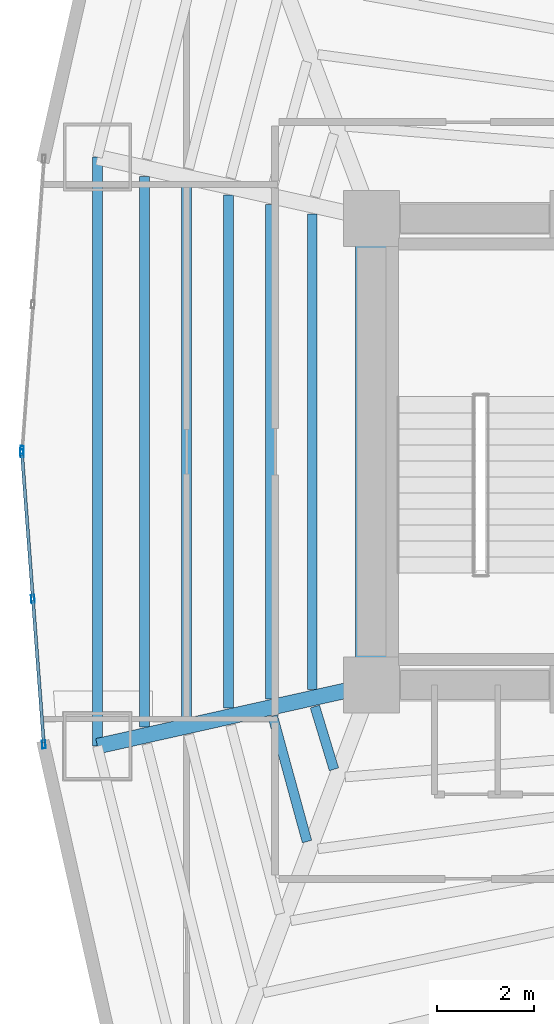
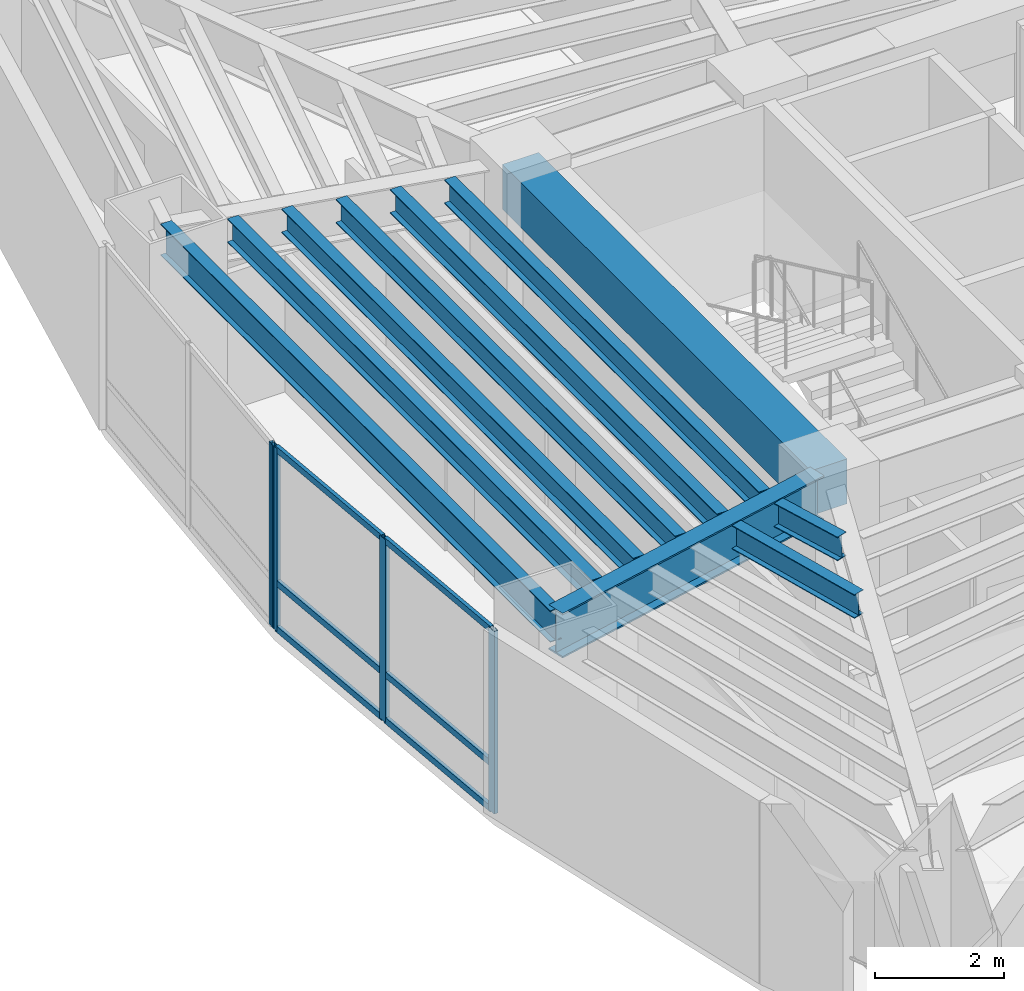
# One storey, part 3 of 17: 10 beams, 10 members, 2 elements without a shape of their own.
"""IFC4 building model written with IfcOpenShell, lengths in metres."""

from ifc_helpers import new_model, si_unit, direction, frame, origin, origin_2d, place, context, subcontext, project, spatial, rectangle, hollow_rectangle, i_section, extrude, material, layer, layer_set, material_profile, profile_set, type_object, element, aggregate, save


model = new_model("IFC4")

# Units and contexts
model_context = context("Model", 3, precision=1e-05, world=origin(), true_north=direction((0.0, 1.0)))
body_context = subcontext(model_context, "Body", "Model", "MODEL_VIEW")
ifc_project = project(units=[si_unit("LENGTHUNIT", "METRE"), si_unit("AREAUNIT", "SQUARE_METRE"), si_unit("VOLUMEUNIT", "CUBIC_METRE"), si_unit("PLANEANGLEUNIT", "RADIAN"), si_unit("MASSUNIT", "GRAM", prefix="KILO")], contexts=[model_context])

# Site, building, storey
site_placement = place(None, origin())
site = spatial("IfcSite", under=ifc_project, at=site_placement, CompositionType="ELEMENT")
building_placement = place(site_placement, origin())
building = spatial("IfcBuilding", under=site, at=building_placement, Name="Menara Vayukalpa", CompositionType="ELEMENT")
storey_placement = place(building_placement, frame((0.0, 0.0, 38.760009765625)))
storey = spatial("IfcBuildingStorey", under=building, at=storey_placement, Name="L08", CompositionType="ELEMENT", Elevation=38.760009765625)

# Beams
ifc_material_1 = material(Name="Concrete C60/75", Category="concrete")
ifc_material_profile_1 = material_profile(ifc_material_1, rectangle(XDim=0.64990234375, YDim=0.85009765625, at=origin_2d()), Name="RC 650x850")
ifc_profile_set_1 = profile_set([ifc_material_profile_1], Name="Concrete C60/75")
beam_type_1 = type_object("IfcBeamType", Name="BM-CB1", PredefinedType="BEAM", material=ifc_profile_set_1)
beam_1_placement = place(storey_placement, frame((17.800048828125, 17.199951171875, 3.044921875), z_axis=(0.0, 1.0, 0.0), x_axis=(-1.0, 0.0, 0.0)))
element("IfcBeam", 1, at=beam_1_placement, inside=storey, type_object=beam_type_1, Name="L08 Core Tie Beam CBR7", PredefinedType="BEAM", context=body_context, shape_type="SweptSolid", body=[
    extrude(rectangle(XDim=0.64990234375, YDim=0.85009765625, at=origin_2d()), origin(), (0.0, 0.0, 1.0), 9.60009765625),
])
ifc_material_2 = material(Name="Steel S355", Category="steel")
ifc_material_profile_2 = material_profile(ifc_material_2, i_section(OverallWidth=0.320068359375, OverallDepth=0.85009765625, WebThickness=0.01611328125, FlangeThickness=0.030029296875, at=origin_2d()), Name="WF 850x320x16x30")
ifc_profile_set_2 = profile_set([ifc_material_profile_2], Name="Steel S355")
beam_type_2 = type_object("IfcBeamType", Name="BM-PG2", PredefinedType="BEAM", material=ifc_profile_set_2)
beam_2_placement = place(storey_placement, frame((17.555908203125, 17.1455078125, 3.044921875), z_axis=(-0.975920137818, -0.218128138031, 0.0), x_axis=(0.218128138031, -0.975920137818, 0.0)))
element("IfcBeam", 2, at=beam_2_placement, inside=storey, type_object=beam_type_2, Name="L08 Primary Radial Girder RG06", PredefinedType="BEAM", context=body_context, shape_type="SweptSolid", body=[
    extrude(i_section(OverallWidth=0.320068359375, OverallDepth=0.85009765625, WebThickness=0.01611328125, FlangeThickness=0.030029296875, at=origin_2d()), origin(), (0.0, 0.0, 1.0), 5.524658203125),
])
ifc_material_3 = material(Name="Steel S355", Category="steel")
ifc_material_profile_3 = material_profile(ifc_material_3, i_section(OverallWidth=0.199951171875, OverallDepth=0.449951171875, WebThickness=0.009033203125, FlangeThickness=0.013916015625, at=origin_2d()), Name="WF 450x200x9x14")
ifc_profile_set_3 = profile_set([ifc_material_profile_3], Name="Steel S355")
beam_type_3 = type_object("IfcBeamType", Name="BM-SJ1", PredefinedType="JOIST", material=ifc_profile_set_3)
beam_3_placement = place(storey_placement, frame((16.58544921875, 26.891357421875, 3.244873046875), z_axis=(0.0, -1.0, 0.0), x_axis=(1.0, 0.0, 0.0)))
element("IfcBeam", 3, at=beam_3_placement, inside=storey, type_object=beam_type_3, Name="L08 Secondary Floor Joist SJ05-1", PredefinedType="JOIST", context=body_context, shape_type="SweptSolid", body=[
    extrude(i_section(OverallWidth=0.199951171875, OverallDepth=0.449951171875, WebThickness=0.009033203125, FlangeThickness=0.013916015625, at=origin_2d()), origin(), (0.0, 0.0, 1.0), 9.78271484375),
])
beam_4_placement = place(storey_placement, frame((15.722900390625, 27.084228515625, 3.244873046875), z_axis=(0.0, -1.0, 0.0), x_axis=(1.0, 0.0, 0.0)))
element("IfcBeam", 4, at=beam_4_placement, inside=storey, type_object=beam_type_3, Name="L08 Secondary Floor Joist SJ05-2", PredefinedType="JOIST", context=body_context, shape_type="SweptSolid", body=[
    extrude(i_section(OverallWidth=0.199951171875, OverallDepth=0.449951171875, WebThickness=0.009033203125, FlangeThickness=0.013916015625, at=origin_2d()), origin(), (0.0, 0.0, 1.0), 10.16845703125),
])
beam_5_placement = place(storey_placement, frame((14.860107421875, 27.277099609375, 3.244873046875), z_axis=(0.0, -1.0, 0.0), x_axis=(1.0, 0.0, 0.0)))
element("IfcBeam", 5, at=beam_5_placement, inside=storey, type_object=beam_type_3, Name="L08 Secondary Floor Joist SJ05-3", PredefinedType="JOIST", context=body_context, shape_type="SweptSolid", body=[
    extrude(i_section(OverallWidth=0.199951171875, OverallDepth=0.449951171875, WebThickness=0.009033203125, FlangeThickness=0.013916015625, at=origin_2d()), origin(), (0.0, 0.0, 1.0), 10.55419921875),
])
beam_6_placement = place(storey_placement, frame((13.997314453125, 27.469970703125, 3.244873046875), z_axis=(0.0, -1.0, 0.0), x_axis=(1.0, 0.0, 0.0)))
element("IfcBeam", 6, at=beam_6_placement, inside=storey, type_object=beam_type_3, Name="L08 Secondary Floor Joist SJ05-4", PredefinedType="JOIST", context=body_context, shape_type="SweptSolid", body=[
    extrude(i_section(OverallWidth=0.199951171875, OverallDepth=0.449951171875, WebThickness=0.009033203125, FlangeThickness=0.013916015625, at=origin_2d()), origin(), (0.0, 0.0, 1.0), 10.93994140625),
])
beam_7_placement = place(storey_placement, frame((13.134765625, 27.66259765625, 3.244873046875), z_axis=(0.0, -1.0, 0.0), x_axis=(1.0, 0.0, 0.0)))
element("IfcBeam", 7, at=beam_7_placement, inside=storey, type_object=beam_type_3, Name="L08 Secondary Floor Joist SJ05-5", PredefinedType="JOIST", context=body_context, shape_type="SweptSolid", body=[
    extrude(i_section(OverallWidth=0.199951171875, OverallDepth=0.449951171875, WebThickness=0.009033203125, FlangeThickness=0.013916015625, at=origin_2d()), origin(), (0.0, 0.0, 1.0), 11.3251953125),
])
beam_8_placement = place(storey_placement, frame((16.6376953125, 16.75634765625, 3.244873046875), z_axis=(0.291010568606, -0.956719838281, 0.0), x_axis=(0.956719838281, 0.291010568606, 0.0)))
element("IfcBeam", 8, at=beam_8_placement, inside=storey, type_object=beam_type_3, Name="L08 Secondary Floor Joist SJ06-1", PredefinedType="JOIST", context=body_context, shape_type="SweptSolid", body=[
    extrude(i_section(OverallWidth=0.199951171875, OverallDepth=0.449951171875, WebThickness=0.009033203125, FlangeThickness=0.013916015625, at=origin_2d()), origin(), (0.0, 0.0, 1.0), 1.3505859375),
])
beam_9_placement = place(storey_placement, frame((15.770263671875, 16.56201171875, 3.244873046875), z_axis=(0.263618546233, -0.964627006714, 0.0), x_axis=(0.964627006714, 0.263618546233, 0.0)))
element("IfcBeam", 9, at=beam_9_placement, inside=storey, type_object=beam_type_3, Name="L08 Secondary Floor Joist SJ06-2", PredefinedType="JOIST", context=body_context, shape_type="SweptSolid", body=[
    extrude(i_section(OverallWidth=0.199951171875, OverallDepth=0.449951171875, WebThickness=0.009033203125, FlangeThickness=0.013916015625, at=origin_2d()), origin(), (0.0, 0.0, 1.0), 2.67919921875),
])
ifc_material_4 = material(Name="Steel S355", Category="steel")
ifc_material_profile_4 = material_profile(ifc_material_4, i_section(OverallWidth=0.199951171875, OverallDepth=0.60009765625, WebThickness=0.010986328125, FlangeThickness=0.01708984375, at=origin_2d()), Name="WF 600x200x11x17")
ifc_profile_set_4 = profile_set([ifc_material_profile_4], Name="Steel S355")
beam_type_4 = type_object("IfcBeamType", Name="BM-SP1", PredefinedType="SPANDREL", material=ifc_profile_set_4)
beam_10_placement = place(storey_placement, frame((12.164306640625, 28.0595703125, 3.169921875), z_axis=(0.0, -1.0, 0.0), x_axis=(1.0, 0.0, 0.0)))
element("IfcBeam", 10, at=beam_10_placement, inside=storey, type_object=beam_type_4, Name="L08 Perimeter Spandrel Beam SP05", PredefinedType="SPANDREL", context=body_context, shape_type="SweptSolid", body=[
    extrude(i_section(OverallWidth=0.199951171875, OverallDepth=0.60009765625, WebThickness=0.010986328125, FlangeThickness=0.01708984375, at=origin_2d()), origin(), (0.0, 0.0, 1.0), 12.119140625),
])

# Curtain wall, member
ifc_material_5 = material(Name="Anodised Terracotta Aluminium Alloy 6063-T6", Category="masonry")
ifc_layer = layer(ifc_material_5, 0.1650390625)
ifc_layer_set = layer_set([ifc_layer], Name="Anodised Terracotta Aluminium Alloy 6063-T6")
curtain_wall_type = type_object("IfcCurtainWallType", Name="CW-CW2", PredefinedType="USERDEFINED", material=ifc_layer_set)
curtain_wall_1_placement = place(storey_placement, origin())
curtain_wall_1 = element("IfcCurtainWall", 11, at=curtain_wall_1_placement, inside=storey, type_object=curtain_wall_type, Name="L08 Low Rise Terracotta Ribbon Curtain Wall CW2 10", ObjectType="UNITISED", PredefinedType="USERDEFINED")
ifc_material_6 = material(Name="Anodised Terracotta Aluminium Alloy 6063-T6", Category="masonry")
ifc_material_profile_5 = material_profile(ifc_material_6, hollow_rectangle(XDim=0.070068359375, YDim=0.1650390625, WallThickness=0.00390625, at=origin_2d()), Name="ALU 70x165x4")
ifc_profile_set_5 = profile_set([ifc_material_profile_5], Name="Anodised Terracotta Aluminium Alloy 6063-T6")
member_type_1 = type_object("IfcMemberType", Name="CWM-CW2", PredefinedType="MULLION", material=ifc_profile_set_5)
member_1_placement = place(storey_placement, frame((10.6123046875, 22.034912109375, 0.0), z_axis=(0.0, 0.0, 1.0), x_axis=(0.997198941676, -0.074794857576, 0.0)))
member_1 = element("IfcMember", 12, at=member_1_placement, type_object=member_type_1, Name="CW2 mullion 3", PredefinedType="MULLION", context=body_context, shape_type="SweptSolid", body=[
    extrude(hollow_rectangle(XDim=0.070068359375, YDim=0.1650390625, WallThickness=0.00390625, at=origin_2d()), origin(), (0.0, 0.0, 1.0), 3.469970703125),
])
aggregate(curtain_wall_1, [member_1])

# Curtain wall, members
curtain_wall_2_placement = place(storey_placement, origin())
curtain_wall_2 = element("IfcCurtainWall", 13, at=curtain_wall_2_placement, inside=storey, type_object=curtain_wall_type, Name="L08 Low Rise Terracotta Ribbon Curtain Wall CW2 11", ObjectType="UNITISED", PredefinedType="USERDEFINED")
member_2_placement = place(storey_placement, frame((10.6123046875, 21.965087890625, 0.0), z_axis=(0.0, 0.0, 1.0), x_axis=(0.997198941676, 0.074794857576, 0.0)))
member_2 = element("IfcMember", 14, at=member_2_placement, type_object=member_type_1, Name="CW2 mullion 1", PredefinedType="MULLION", context=body_context, shape_type="SweptSolid", body=[
    extrude(hollow_rectangle(XDim=0.070068359375, YDim=0.1650390625, WallThickness=0.00390625, at=origin_2d()), origin(), (0.0, 0.0, 1.0), 3.469970703125),
])
member_3_placement = place(storey_placement, frame((10.8369140625, 18.97021484375, 0.0), z_axis=(0.0, 0.0, 1.0), x_axis=(0.997198941676, 0.074794857576, 0.0)))
member_3 = element("IfcMember", 15, at=member_3_placement, type_object=member_type_1, Name="CW2 mullion 2", PredefinedType="MULLION", context=body_context, shape_type="SweptSolid", body=[
    extrude(hollow_rectangle(XDim=0.070068359375, YDim=0.1650390625, WallThickness=0.00390625, at=origin_2d()), origin(), (0.0, 0.0, 1.0), 3.469970703125),
])
member_4_placement = place(storey_placement, frame((11.0615234375, 15.975341796875, 0.0), z_axis=(0.0, 0.0, 1.0), x_axis=(0.997198941676, 0.074794857576, 0.0)))
member_4 = element("IfcMember", 16, at=member_4_placement, type_object=member_type_1, Name="CW2 mullion 3", PredefinedType="MULLION", context=body_context, shape_type="SweptSolid", body=[
    extrude(hollow_rectangle(XDim=0.070068359375, YDim=0.1650390625, WallThickness=0.00390625, at=origin_2d()), origin(), (0.0, 0.0, 1.0), 3.469970703125),
])
ifc_material_7 = material(Name="Anodised Terracotta Aluminium Alloy 6063-T6", Category="masonry")
ifc_material_profile_6 = material_profile(ifc_material_7, hollow_rectangle(XDim=0.06494140625, YDim=0.1201171875, WallThickness=0.00341796875, at=origin_2d()), Name="ALU 65x120x3.5")
ifc_profile_set_6 = profile_set([ifc_material_profile_6], Name="Anodised Terracotta Aluminium Alloy 6063-T6")
member_type_2 = type_object("IfcMemberType", Name="CWT-CW2", PredefinedType="USERDEFINED", material=ifc_profile_set_6)
member_5_placement = place(storey_placement, frame((10.614990234375, 21.93017578125, 0.032470703125), z_axis=(0.074742357441, -0.997202878057, 0.0), x_axis=(0.997202878057, 0.074742357441, 0.0)))
member_5 = element("IfcMember", 17, at=member_5_placement, type_object=member_type_2, Name="CW2 transom 1.1", ObjectType="TRANSOM", PredefinedType="USERDEFINED", context=body_context, shape_type="SweptSolid", body=[
    extrude(hollow_rectangle(XDim=0.06494140625, YDim=0.1201171875, WallThickness=0.00341796875, at=origin_2d()), origin(), (0.0, 0.0, 1.0), 2.933349609375),
])
member_6_placement = place(storey_placement, frame((10.614990234375, 21.93017578125, 0.89990234375), z_axis=(0.074742357441, -0.997202878057, 0.0), x_axis=(0.997202878057, 0.074742357441, 0.0)))
member_6 = element("IfcMember", 18, at=member_6_placement, type_object=member_type_2, Name="CW2 transom 1.2", ObjectType="TRANSOM", PredefinedType="USERDEFINED", context=body_context, shape_type="SweptSolid", body=[
    extrude(hollow_rectangle(XDim=0.06494140625, YDim=0.1201171875, WallThickness=0.00341796875, at=origin_2d()), origin(), (0.0, 0.0, 1.0), 2.933349609375),
])
member_7_placement = place(storey_placement, frame((10.614990234375, 21.93017578125, 3.4375), z_axis=(0.074742357441, -0.997202878057, 0.0), x_axis=(0.997202878057, 0.074742357441, 0.0)))
member_7 = element("IfcMember", 19, at=member_7_placement, type_object=member_type_2, Name="CW2 transom 1.3", ObjectType="TRANSOM", PredefinedType="USERDEFINED", context=body_context, shape_type="SweptSolid", body=[
    extrude(hollow_rectangle(XDim=0.06494140625, YDim=0.1201171875, WallThickness=0.00341796875, at=origin_2d()), origin(), (0.0, 0.0, 1.0), 2.933349609375),
])
member_8_placement = place(storey_placement, frame((10.839599609375, 18.935302734375, 0.032470703125), z_axis=(0.074825123723, -0.997196671103, 0.0), x_axis=(0.997196671103, 0.074825123723, 0.0)))
member_8 = element("IfcMember", 20, at=member_8_placement, type_object=member_type_2, Name="CW2 transom 2.1", ObjectType="TRANSOM", PredefinedType="USERDEFINED", context=body_context, shape_type="SweptSolid", body=[
    extrude(hollow_rectangle(XDim=0.06494140625, YDim=0.1201171875, WallThickness=0.00341796875, at=origin_2d()), origin(), (0.0, 0.0, 1.0), 2.933349609375),
])
member_9_placement = place(storey_placement, frame((10.839599609375, 18.935302734375, 0.89990234375), z_axis=(0.074825123723, -0.997196671103, 0.0), x_axis=(0.997196671103, 0.074825123723, 0.0)))
member_9 = element("IfcMember", 21, at=member_9_placement, type_object=member_type_2, Name="CW2 transom 2.2", ObjectType="TRANSOM", PredefinedType="USERDEFINED", context=body_context, shape_type="SweptSolid", body=[
    extrude(hollow_rectangle(XDim=0.06494140625, YDim=0.1201171875, WallThickness=0.00341796875, at=origin_2d()), origin(), (0.0, 0.0, 1.0), 2.933349609375),
])
member_10_placement = place(storey_placement, frame((10.839599609375, 18.935302734375, 3.4375), z_axis=(0.074825123723, -0.997196671103, 0.0), x_axis=(0.997196671103, 0.074825123723, 0.0)))
member_10 = element("IfcMember", 22, at=member_10_placement, type_object=member_type_2, Name="CW2 transom 2.3", ObjectType="TRANSOM", PredefinedType="USERDEFINED", context=body_context, shape_type="SweptSolid", body=[
    extrude(hollow_rectangle(XDim=0.06494140625, YDim=0.1201171875, WallThickness=0.00341796875, at=origin_2d()), origin(), (0.0, 0.0, 1.0), 2.933349609375),
])
aggregate(curtain_wall_2, [member_2, member_3, member_4, member_5, member_6, member_7, member_8, member_9, member_10])

save(model, "model.ifc")
